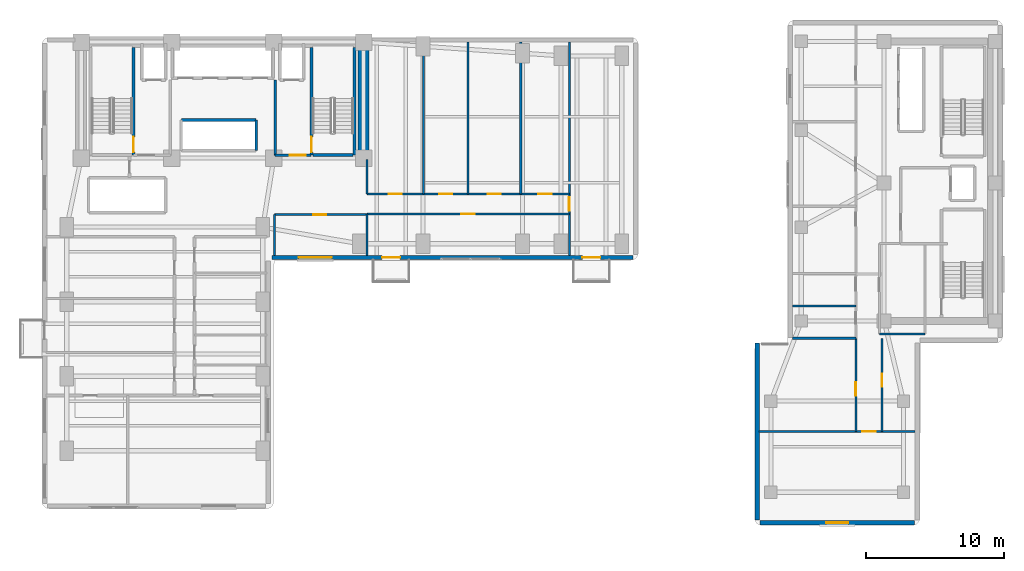
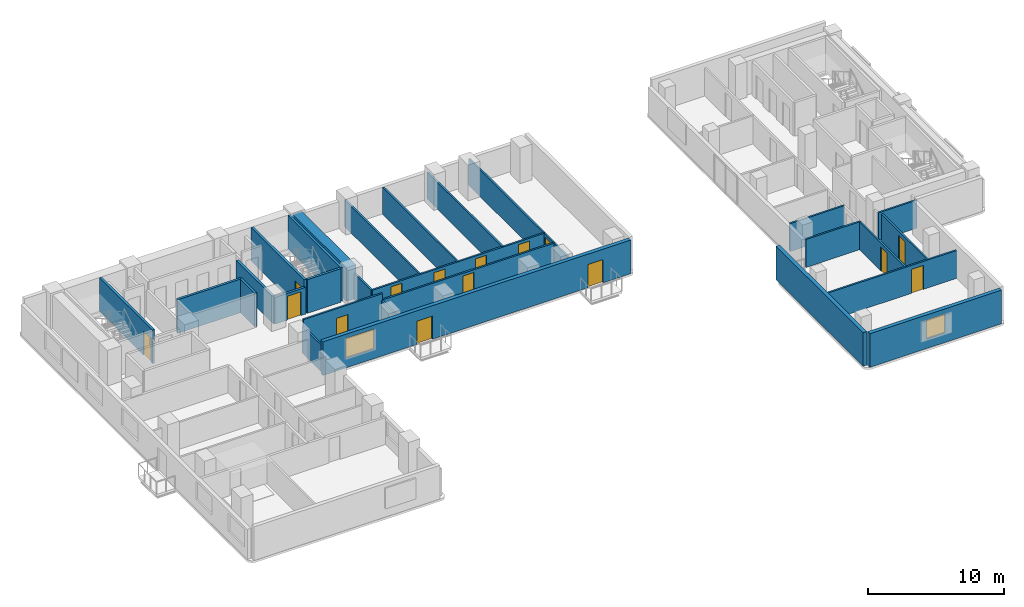
# One storey, part 11 of 17: 28 walls, 15 doors, 2 windows, 17 openings.
"""IFC4 building model written with IfcOpenShell, lengths in metres."""

from ifc_helpers import new_model, si_unit, direction, frame, frame_2d, origin, place, context, subcontext, project, spatial, rectangle, extrude, material, layer, layer_set, type_object, element, fill, save


model = new_model("IFC4")

# Units and contexts
model_context = context("Model", 3, precision=1e-05, world=origin(), true_north=direction((0.0, 1.0)))
body_context = subcontext(model_context, "Body", "Model", "MODEL_VIEW")
ifc_project = project(units=[si_unit("LENGTHUNIT", "METRE"), si_unit("AREAUNIT", "SQUARE_METRE"), si_unit("VOLUMEUNIT", "CUBIC_METRE"), si_unit("PLANEANGLEUNIT", "RADIAN"), si_unit("MASSUNIT", "GRAM", prefix="KILO")], contexts=[model_context])

# Site, building, storey
site_placement = place(None, origin())
site = spatial("IfcSite", under=ifc_project, at=site_placement, CompositionType="ELEMENT")
building_placement = place(site_placement, origin())
building = spatial("IfcBuilding", under=site, at=building_placement, Name="Kuzgunbayir Cultural Tower", CompositionType="ELEMENT")
storey_placement = place(building_placement, frame((0.0, 0.0, 56.39990234375)))
storey = spatial("IfcBuildingStorey", under=building, at=storey_placement, Name="L15", CompositionType="ELEMENT", Elevation=56.39990234375)

# Wall
ifc_material_1 = material(Name="Concrete C60/75", Category="concrete")
ifc_layer_1 = layer(ifc_material_1, 0.800048828125)
ifc_layer_set_1 = layer_set([ifc_layer_1], Name="Concrete C60/75")
wall_type_1 = type_object("IfcWallType", Name="WAL-CORE-800", PredefinedType="SHEAR", material=ifc_layer_set_1)
wall_1_placement = place(storey_placement, frame((26.89990234375, 33.800048828125, 0.0), z_axis=(0.0, 0.0, 1.0), x_axis=(0.0, 1.0, 0.0)))
element("IfcWall", 1, at=wall_1_placement, inside=storey, type_object=wall_type_1, Name="L15 T1 Core East Shear Wall", PredefinedType="SHEAR", context=body_context, shape_type="SweptSolid", body=[
    extrude(rectangle(XDim=7.949951171875, YDim=0.800048828125, at=frame_2d((3.97509765625, 0.0))), origin(), (0.0, 0.0, 1.0), 3.02001953125),
])

# Wall, openings, doors, window
ifc_material_2 = material(Name="Travertine Buff Ashlar", Category="masonry")
ifc_layer_2 = layer(ifc_material_2, 0.320068359375)
ifc_layer_set_2 = layer_set([ifc_layer_2], Name="Travertine Buff Ashlar")
wall_type_2 = type_object("IfcWallType", Name="WAL-EXT-STONE-320", PredefinedType="STANDARD", material=ifc_layer_set_2)
wall_2_placement = place(storey_placement, frame((20.25, 26.60009765625, 0.0), z_axis=(0.0, 0.0, 1.0), x_axis=(1.0, 0.0, 0.0)))
wall_2 = element("IfcWall", 2, at=wall_2_placement, inside=storey, type_object=wall_type_2, Name="L15 Wing B South Limestone Wall", PredefinedType="STANDARD", context=body_context, shape_type="SweptSolid", body=[
    extrude(rectangle(XDim=26.14990234375, YDim=0.320068359375, at=frame_2d((13.074951171875, 0.0))), origin(), (0.0, 0.0, 1.0), 3.02001953125),
])
opening_1_placement = place(wall_2_placement, frame((8.0, 0.0, 0.0)))
opening_1 = element("IfcOpeningElement", 3, at=opening_1_placement, cuts=wall_2, Name="Opening BD-13", PredefinedType="OPENING", context=body_context, shape_type="SweptSolid", body=[
    extrude(rectangle(XDim=1.300048828125, YDim=2.080078125, at=frame_2d((0.64990234375, 1.0400390625))), frame((0.0, 0.169921875, 0.0), z_axis=(0.0, -1.0, 0.0), x_axis=(1.0, 0.0, 0.0)), (0.0, 0.0, 1.0), 0.340087890625),
])
opening_2_placement = place(wall_2_placement, frame((22.5, 0.0, 0.0)))
opening_2 = element("IfcOpeningElement", 4, at=opening_2_placement, cuts=wall_2, Name="Opening BD-13", PredefinedType="OPENING", context=body_context, shape_type="SweptSolid", body=[
    extrude(rectangle(XDim=1.300048828125, YDim=2.080078125, at=frame_2d((0.64990234375, 1.0400390625))), frame((0.0, 0.169921875, 0.0), z_axis=(0.0, -1.0, 0.0), x_axis=(1.0, 0.0, 0.0)), (0.0, 0.0, 1.0), 0.340087890625),
])
opening_3_placement = place(wall_2_placement, frame((1.949951171875, 0.0, 0.85009765625)))
opening_3 = element("IfcOpeningElement", 5, at=opening_3_placement, cuts=wall_2, Name="Opening WO-24", PredefinedType="OPENING", context=body_context, shape_type="SweptSolid", body=[
    extrude(rectangle(XDim=2.39990234375, YDim=1.800048828125, at=frame_2d((1.199951171875, 0.89990234375))), frame((0.0, 0.169921875, 0.0), z_axis=(0.0, -1.0, 0.0), x_axis=(1.0, 0.0, 0.0)), (0.0, 0.0, 1.0), 0.340087890625),
])
ifc_material_3 = material(Name="Thermally Broken Glazed Aluminium", Category="aluminium")
door_type_1 = type_object("IfcDoorType", Name="DR-BALCONY-135", OperationType="SLIDING_TO_LEFT", PredefinedType="DOOR", material=ifc_material_3)
door_1_placement = place(opening_1_placement, origin())
door_1 = element("IfcDoor", 6, at=door_1_placement, inside=storey, type_object=door_type_1, Name="L15 South Balcony Sliding Door BAL-L15-WB1", OperationType="SLIDING_TO_LEFT", OverallHeight=2.080078125, OverallWidth=1.300048828125, PredefinedType="DOOR", context=body_context, shape_type="SweptSolid", body=[
    extrude(rectangle(XDim=1.300048828125, YDim=2.080078125, at=frame_2d((0.64990234375, 1.0400390625))), frame((0.0, 0.02490234375, 0.0), z_axis=(0.0, -1.0, 0.0), x_axis=(1.0, 0.0, 0.0)), (0.0, 0.0, 1.0), 0.050048828125),
])
fill(opening_1, door_1)
door_2_placement = place(opening_2_placement, origin())
door_2 = element("IfcDoor", 7, at=door_2_placement, inside=storey, type_object=door_type_1, Name="L15 South Balcony Sliding Door BAL-L15-WB3", OperationType="SLIDING_TO_LEFT", OverallHeight=2.080078125, OverallWidth=1.300048828125, PredefinedType="DOOR", context=body_context, shape_type="SweptSolid", body=[
    extrude(rectangle(XDim=1.300048828125, YDim=2.080078125, at=frame_2d((0.64990234375, 1.0400390625))), frame((0.0, 0.02490234375, 0.0), z_axis=(0.0, -1.0, 0.0), x_axis=(1.0, 0.0, 0.0)), (0.0, 0.0, 1.0), 0.050048828125),
])
fill(opening_2, door_2)
ifc_material_4 = material(Name="Solar-Control Triple Glazing", Category="glass")
window_type_1 = type_object("IfcWindowType", Name="WIN-OFFICE-24", PartitioningType="SINGLE_PANEL", PredefinedType="WINDOW", material=ifc_material_4)
window_1_placement = place(opening_3_placement, origin())
window_1 = element("IfcWindow", 8, at=window_1_placement, inside=storey, type_object=window_type_1, Name="L15 WBS Facade Window 8", OverallHeight=1.800048828125, OverallWidth=2.39990234375, PartitioningType="SINGLE_PANEL", PredefinedType="WINDOW", context=body_context, shape_type="SweptSolid", body=[
    extrude(rectangle(XDim=2.39990234375, YDim=1.800048828125, at=frame_2d((1.199951171875, 0.89990234375))), frame((0.0, 0.030029296875, 0.0), z_axis=(0.0, -1.0, 0.0), x_axis=(1.0, 0.0, 0.0)), (0.0, 0.0, 1.0), 0.06005859375),
])
fill(opening_3, window_1)

# Wall, opening, window
wall_3_placement = place(storey_placement, frame((55.60009765625, 7.39990234375, 0.0), z_axis=(0.0, 0.0, 1.0), x_axis=(1.0, 0.0, 0.0)))
wall_3 = element("IfcWall", 9, at=wall_3_placement, inside=storey, type_object=wall_type_2, Name="L15 Companion Wing B South Wall", PredefinedType="STANDARD", context=body_context, shape_type="SweptSolid", body=[
    extrude(rectangle(XDim=11.199951171875, YDim=0.320068359375, at=frame_2d((5.60009765625, 0.0))), origin(), (0.0, 0.0, 1.0), 3.02001953125),
])
opening_4_placement = place(wall_3_placement, frame((4.800048828125, 0.0, 0.85009765625)))
opening_4 = element("IfcOpeningElement", 10, at=opening_4_placement, cuts=wall_3, Name="Opening WC-16", PredefinedType="OPENING", context=body_context, shape_type="SweptSolid", body=[
    extrude(rectangle(XDim=1.60009765625, YDim=1.699951171875, at=frame_2d((0.800048828125, 0.85009765625))), frame((0.0, 0.169921875, 0.0), z_axis=(0.0, -1.0, 0.0), x_axis=(1.0, 0.0, 0.0)), (0.0, 0.0, 1.0), 0.340087890625),
])
window_type_2 = type_object("IfcWindowType", Name="WIN-COMP-16", PartitioningType="SINGLE_PANEL", PredefinedType="WINDOW", material=ifc_material_4)
window_2_placement = place(opening_4_placement, origin())
window_2 = element("IfcWindow", 11, at=window_2_placement, inside=storey, type_object=window_type_2, Name="L15 Companion South Window", OverallHeight=1.699951171875, OverallWidth=1.60009765625, PartitioningType="SINGLE_PANEL", PredefinedType="WINDOW", context=body_context, shape_type="SweptSolid", body=[
    extrude(rectangle(XDim=1.60009765625, YDim=1.699951171875, at=frame_2d((0.800048828125, 0.85009765625))), frame((0.0, 0.030029296875, 0.0), z_axis=(0.0, -1.0, 0.0), x_axis=(1.0, 0.0, 0.0)), (0.0, 0.0, 1.0), 0.06005859375),
])
fill(opening_4, window_2)

# Wall
wall_4_placement = place(storey_placement, frame((55.39990234375, 20.39990234375, 0.0), z_axis=(0.0, 0.0, 1.0), x_axis=(0.0, -1.0, 0.0)))
element("IfcWall", 12, at=wall_4_placement, inside=storey, type_object=wall_type_2, Name="L15 Companion Wing B West Wall", PredefinedType="STANDARD", context=body_context, shape_type="SweptSolid", body=[
    extrude(rectangle(XDim=12.7998046875, YDim=0.320068359375, at=frame_2d((6.39990234375, 0.0))), origin(), (0.0, 0.0, 1.0), 3.02001953125),
])

# Wall, opening, door
ifc_material_5 = material(Name="Acoustic Double-Stud Drywall", Category="gypsum")
ifc_layer_3 = layer(ifc_material_5, 0.14990234375)
ifc_layer_set_3 = layer_set([ifc_layer_3], Name="Acoustic Double-Stud Drywall")
wall_type_3 = type_object("IfcWallType", Name="WAL-PART-ACOUSTIC-150", PredefinedType="PARTITIONING", material=ifc_layer_set_3)
wall_5_placement = place(storey_placement, frame((20.449951171875, 29.699951171875, 0.0), z_axis=(0.0, 0.0, 1.0), x_axis=(1.0, 0.0, 0.0)))
wall_5 = element("IfcWall", 13, at=wall_5_placement, inside=storey, type_object=wall_type_3, Name="L15 Waist Alcove North Wall", PredefinedType="PARTITIONING", context=body_context, shape_type="SweptSolid", body=[
    extrude(rectangle(XDim=6.699951171875, YDim=0.14990234375, at=frame_2d((3.35009765625, 0.0))), origin(), (0.0, 0.0, 1.0), 3.02001953125),
])
opening_5_placement = place(wall_5_placement, frame((2.800048828125, 0.0, 0.0)))
opening_5 = element("IfcOpeningElement", 14, at=opening_5_placement, cuts=wall_5, Name="Opening DI-90", PredefinedType="OPENING", context=body_context, shape_type="SweptSolid", body=[
    extrude(rectangle(XDim=0.949951171875, YDim=2.14990234375, at=frame_2d((0.47509765625, 1.074951171875))), frame((0.0, 0.0849609375, 0.0), z_axis=(0.0, -1.0, 0.0), x_axis=(1.0, 0.0, 0.0)), (0.0, 0.0, 1.0), 0.169921875),
])
ifc_material_6 = material(Name="Veneered Oak Single Leaf", Category="wood")
door_type_2 = type_object("IfcDoorType", Name="DR-INT-90", OperationType="NOTDEFINED", PredefinedType="DOOR", material=ifc_material_6)
door_3_placement = place(opening_5_placement, origin())
door_3 = element("IfcDoor", 15, at=door_3_placement, inside=storey, type_object=door_type_2, Name="L15 Waist Alcove Door", OperationType="SINGLE_SWING_LEFT", OverallHeight=2.14990234375, OverallWidth=0.949951171875, PredefinedType="DOOR", context=body_context, shape_type="SweptSolid", body=[
    extrude(rectangle(XDim=0.949951171875, YDim=2.14990234375, at=frame_2d((0.47509765625, 1.074951171875))), frame((0.0, 0.02490234375, 0.0), z_axis=(0.0, -1.0, 0.0), x_axis=(1.0, 0.0, 0.0)), (0.0, 0.0, 1.0), 0.050048828125),
])
fill(opening_5, door_3)

# Walls
wall_6_placement = place(storey_placement, frame((20.449951171875, 26.75, 0.0), z_axis=(0.0, 0.0, 1.0), x_axis=(0.0, 1.0, 0.0)))
element("IfcWall", 16, at=wall_6_placement, inside=storey, type_object=wall_type_3, Name="L15 Waist Alcove West Wall", PredefinedType="PARTITIONING", context=body_context, shape_type="SweptSolid", body=[
    extrude(rectangle(XDim=2.949951171875, YDim=0.14990234375, at=frame_2d((1.47509765625, 0.0))), origin(), (0.0, 0.0, 1.0), 2.400146484375),
])
wall_7_placement = place(storey_placement, frame((27.14990234375, 26.75, 0.0), z_axis=(0.0, 0.0, 1.0), x_axis=(0.0, 1.0, 0.0)))
element("IfcWall", 17, at=wall_7_placement, inside=storey, type_object=wall_type_3, Name="L15 Waist Alcove East Wall", PredefinedType="PARTITIONING", context=body_context, shape_type="SweptSolid", body=[
    extrude(rectangle(XDim=3.0, YDim=0.14990234375, at=frame_2d((1.5, 0.0))), origin(), (0.0, 0.0, 1.0), 2.400146484375),
])

# Wall, opening, door
wall_8_placement = place(storey_placement, frame((27.14990234375, 29.75, 0.0), z_axis=(0.0, 0.0, 1.0), x_axis=(1.0, 0.0, 0.0)))
wall_8 = element("IfcWall", 18, at=wall_8_placement, inside=storey, type_object=wall_type_3, Name="L15 Wing B Corridor South Wall", PredefinedType="PARTITIONING", context=body_context, shape_type="SweptSolid", body=[
    extrude(rectangle(XDim=14.650146484375, YDim=0.14990234375, at=frame_2d((7.3251953125, 0.0))), origin(), (0.0, 0.0, 1.0), 2.400146484375),
])
opening_6_placement = place(wall_8_placement, frame((6.840087890625, 0.0, 0.0)))
opening_6 = element("IfcOpeningElement", 19, at=opening_6_placement, cuts=wall_8, Name="Opening DI-90", PredefinedType="OPENING", context=body_context, shape_type="SweptSolid", body=[
    extrude(rectangle(XDim=0.949951171875, YDim=2.14990234375, at=frame_2d((0.47509765625, 1.074951171875))), frame((0.0, 0.0849609375, 0.0), z_axis=(0.0, -1.0, 0.0), x_axis=(1.0, 0.0, 0.0)), (0.0, 0.0, 1.0), 0.169921875),
])
door_4_placement = place(opening_6_placement, origin())
door_4 = element("IfcDoor", 20, at=door_4_placement, inside=storey, type_object=door_type_2, Name="L15 Wing B Art Publication Salon 1 Door", OperationType="SINGLE_SWING_RIGHT", OverallHeight=2.14990234375, OverallWidth=0.949951171875, PredefinedType="DOOR", context=body_context, shape_type="SweptSolid", body=[
    extrude(rectangle(XDim=0.949951171875, YDim=2.14990234375, at=frame_2d((0.47509765625, 1.074951171875))), frame((0.0, 0.02490234375, 0.0), z_axis=(0.0, -1.0, 0.0), x_axis=(1.0, 0.0, 0.0)), (0.0, 0.0, 1.0), 0.050048828125),
])
fill(opening_6, door_4)

# Wall, openings, doors
wall_9_placement = place(storey_placement, frame((27.14990234375, 31.199951171875, 0.0), z_axis=(0.0, 0.0, 1.0), x_axis=(1.0, 0.0, 0.0)))
wall_9 = element("IfcWall", 21, at=wall_9_placement, inside=storey, type_object=wall_type_3, Name="L15 Wing B Corridor North Wall", PredefinedType="PARTITIONING", context=body_context, shape_type="SweptSolid", body=[
    extrude(rectangle(XDim=14.650146484375, YDim=0.14990234375, at=frame_2d((7.3251953125, 0.0))), origin(), (0.0, 0.0, 1.0), 2.400146484375),
])
opening_7_placement = place(wall_9_placement, frame((1.570068359375, 0.0, 0.0)))
opening_7 = element("IfcOpeningElement", 22, at=opening_7_placement, cuts=wall_9, Name="Opening DI-90", PredefinedType="OPENING", context=body_context, shape_type="SweptSolid", body=[
    extrude(rectangle(XDim=0.949951171875, YDim=2.14990234375, at=frame_2d((0.47509765625, 1.074951171875))), frame((0.0, 0.0849609375, 0.0), z_axis=(0.0, -1.0, 0.0), x_axis=(1.0, 0.0, 0.0)), (0.0, 0.0, 1.0), 0.169921875),
])
opening_8_placement = place(wall_9_placement, frame((5.22998046875, 0.0, 0.0)))
opening_8 = element("IfcOpeningElement", 23, at=opening_8_placement, cuts=wall_9, Name="Opening DI-90", PredefinedType="OPENING", context=body_context, shape_type="SweptSolid", body=[
    extrude(rectangle(XDim=0.949951171875, YDim=2.14990234375, at=frame_2d((0.47509765625, 1.074951171875))), frame((0.0, 0.0849609375, 0.0), z_axis=(0.0, -1.0, 0.0), x_axis=(1.0, 0.0, 0.0)), (0.0, 0.0, 1.0), 0.169921875),
])
opening_9_placement = place(wall_9_placement, frame((8.75, 0.0, 0.0)))
opening_9 = element("IfcOpeningElement", 24, at=opening_9_placement, cuts=wall_9, Name="Opening DI-90", PredefinedType="OPENING", context=body_context, shape_type="SweptSolid", body=[
    extrude(rectangle(XDim=0.949951171875, YDim=2.14990234375, at=frame_2d((0.47509765625, 1.074951171875))), frame((0.0, 0.0849609375, 0.0), z_axis=(0.0, -1.0, 0.0), x_axis=(1.0, 0.0, 0.0)), (0.0, 0.0, 1.0), 0.169921875),
])
opening_10_placement = place(wall_9_placement, frame((12.409912109375, 0.0, 0.0)))
opening_10 = element("IfcOpeningElement", 25, at=opening_10_placement, cuts=wall_9, Name="Opening DI-90", PredefinedType="OPENING", context=body_context, shape_type="SweptSolid", body=[
    extrude(rectangle(XDim=0.949951171875, YDim=2.14990234375, at=frame_2d((0.47509765625, 1.074951171875))), frame((0.0, 0.0849609375, 0.0), z_axis=(0.0, -1.0, 0.0), x_axis=(1.0, 0.0, 0.0)), (0.0, 0.0, 1.0), 0.169921875),
])
door_5_placement = place(opening_7_placement, origin())
door_5 = element("IfcDoor", 26, at=door_5_placement, inside=storey, type_object=door_type_2, Name="L15 Wing B North Art Publication Salon 1 Door", OperationType="SINGLE_SWING_LEFT", OverallHeight=2.14990234375, OverallWidth=0.949951171875, PredefinedType="DOOR", context=body_context, shape_type="SweptSolid", body=[
    extrude(rectangle(XDim=0.949951171875, YDim=2.14990234375, at=frame_2d((0.47509765625, 1.074951171875))), frame((0.0, 0.02490234375, 0.0), z_axis=(0.0, -1.0, 0.0), x_axis=(1.0, 0.0, 0.0)), (0.0, 0.0, 1.0), 0.050048828125),
])
fill(opening_7, door_5)
door_6_placement = place(opening_8_placement, origin())
door_6 = element("IfcDoor", 27, at=door_6_placement, inside=storey, type_object=door_type_2, Name="L15 Wing B North Culinary Tasting Pantry 2 Door", OperationType="SINGLE_SWING_RIGHT", OverallHeight=2.14990234375, OverallWidth=0.949951171875, PredefinedType="DOOR", context=body_context, shape_type="SweptSolid", body=[
    extrude(rectangle(XDim=0.949951171875, YDim=2.14990234375, at=frame_2d((0.47509765625, 1.074951171875))), frame((0.0, 0.02490234375, 0.0), z_axis=(0.0, -1.0, 0.0), x_axis=(1.0, 0.0, 0.0)), (0.0, 0.0, 1.0), 0.050048828125),
])
fill(opening_8, door_6)
door_7_placement = place(opening_9_placement, origin())
door_7 = element("IfcDoor", 28, at=door_7_placement, inside=storey, type_object=door_type_2, Name="L15 Wing B North Fellows Reading Lounge 3 Door", OperationType="SINGLE_SWING_LEFT", OverallHeight=2.14990234375, OverallWidth=0.949951171875, PredefinedType="DOOR", context=body_context, shape_type="SweptSolid", body=[
    extrude(rectangle(XDim=0.949951171875, YDim=2.14990234375, at=frame_2d((0.47509765625, 1.074951171875))), frame((0.0, 0.02490234375, 0.0), z_axis=(0.0, -1.0, 0.0), x_axis=(1.0, 0.0, 0.0)), (0.0, 0.0, 1.0), 0.050048828125),
])
fill(opening_9, door_7)
door_8_placement = place(opening_10_placement, origin())
door_8 = element("IfcDoor", 29, at=door_8_placement, inside=storey, type_object=door_type_2, Name="L15 Wing B North Curatorial Office 4 Door", OperationType="SINGLE_SWING_RIGHT", OverallHeight=2.14990234375, OverallWidth=0.949951171875, PredefinedType="DOOR", context=body_context, shape_type="SweptSolid", body=[
    extrude(rectangle(XDim=0.949951171875, YDim=2.14990234375, at=frame_2d((0.47509765625, 1.074951171875))), frame((0.0, 0.02490234375, 0.0), z_axis=(0.0, -1.0, 0.0), x_axis=(1.0, 0.0, 0.0)), (0.0, 0.0, 1.0), 0.050048828125),
])
fill(opening_10, door_8)

# Wall
wall_10_placement = place(storey_placement, frame((27.14990234375, 31.199951171875, 0.0), z_axis=(0.0, 0.0, 1.0), x_axis=(0.0, 1.0, 0.0)))
element("IfcWall", 30, at=wall_10_placement, inside=storey, type_object=wall_type_3, Name="L15 Wing B North Core Closure Wall", PredefinedType="PARTITIONING", context=body_context, shape_type="SweptSolid", body=[
    extrude(rectangle(XDim=2.47998046875, YDim=0.14990234375, at=frame_2d((1.239990234375, 0.0))), origin(), (0.0, 0.0, 1.0), 2.400146484375),
])

# Wall, opening, door
wall_11_placement = place(storey_placement, frame((41.800048828125, 26.75, 0.0), z_axis=(0.0, 0.0, 1.0), x_axis=(0.0, 1.0, 0.0)))
wall_11 = element("IfcWall", 31, at=wall_11_placement, inside=storey, type_object=wall_type_3, Name="L15 Wing B East Suite Wall", PredefinedType="PARTITIONING", context=body_context, shape_type="SweptSolid", body=[
    extrude(rectangle(XDim=15.449951171875, YDim=0.14990234375, at=frame_2d((7.72509765625, 0.0))), origin(), (0.0, 0.0, 1.0), 2.400146484375),
])
opening_11_placement = place(wall_11_placement, frame((3.219970703125, 0.0, 0.0)))
opening_11 = element("IfcOpeningElement", 32, at=opening_11_placement, cuts=wall_11, Name="Opening DI-100", PredefinedType="OPENING", context=body_context, shape_type="SweptSolid", body=[
    extrude(rectangle(XDim=1.0, YDim=2.14990234375, at=frame_2d((0.5, 1.074951171875))), frame((0.0, 0.0849609375, 0.0), z_axis=(0.0, -1.0, 0.0), x_axis=(1.0, 0.0, 0.0)), (0.0, 0.0, 1.0), 0.169921875),
])
door_type_3 = type_object("IfcDoorType", Name="DR-INT-100", OperationType="NOTDEFINED", PredefinedType="DOOR", material=ifc_material_6)
door_9_placement = place(opening_11_placement, origin())
door_9 = element("IfcDoor", 33, at=door_9_placement, inside=storey, type_object=door_type_3, Name="L15 East Conference Hall Door", OperationType="SINGLE_SWING_LEFT", OverallHeight=2.14990234375, OverallWidth=1.0, PredefinedType="DOOR", context=body_context, shape_type="SweptSolid", body=[
    extrude(rectangle(XDim=1.0, YDim=2.14990234375, at=frame_2d((0.5, 1.074951171875))), frame((0.0, 0.02490234375, 0.0), z_axis=(0.0, -1.0, 0.0), x_axis=(1.0, 0.0, 0.0)), (0.0, 0.0, 1.0), 0.050048828125),
])
fill(opening_11, door_9)

# Walls
for number, where, z_axis, x_axis, name in (
    (34, (31.25, 31.199951171875, 0.0), (0.0, 0.0, 1.0), (0.0, 1.0, 0.0), "L15 Wing B North Partition 1"),
    (35, (34.469970703125, 31.199951171875, 0.0), (0.0, 0.0, 1.0), (0.0, 1.0, 0.0), "L15 Wing B North Partition 2"),
    (36, (38.280029296875, 31.199951171875, 0.0), (0.0, 0.0, 1.0), (0.0, 1.0, 0.0), "L15 Wing B North Partition 3"),
):
    element("IfcWall", number, at=place(storey_placement, frame(where, z_axis=z_axis, x_axis=x_axis)), inside=storey, type_object=wall_type_3, Name=name, PredefinedType="PARTITIONING", context=body_context, shape_type="SweptSolid", body=[
        extrude(rectangle(XDim=11.0, YDim=0.14990234375, at=frame_2d((5.5, 0.0))), origin(), (0.0, 0.0, 1.0), 2.400146484375),
    ])
wall_12_placement = place(storey_placement, frame((64.25, 21.050048828125, 0.0), z_axis=(0.0, 0.0, 1.0), x_axis=(1.0, 0.0, 0.0)))
element("IfcWall", 37, at=wall_12_placement, inside=storey, type_object=wall_type_3, Name="L15 Companion Archive South Wall", PredefinedType="PARTITIONING", context=body_context, shape_type="SweptSolid", body=[
    extrude(rectangle(XDim=3.300048828125, YDim=0.14990234375, at=frame_2d((1.64990234375, 0.0))), origin(), (0.0, 0.0, 1.0), 2.510009765625),
])

# Wall, opening, door
wall_13_placement = place(storey_placement, frame((62.550048828125, 14.0, 0.0), z_axis=(0.0, 0.0, 1.0), x_axis=(0.0, 1.0, 0.0)))
wall_13 = element("IfcWall", 38, at=wall_13_placement, inside=storey, type_object=wall_type_3, Name="L15 Companion South Corridor West Wall", PredefinedType="PARTITIONING", context=body_context, shape_type="SweptSolid", body=[
    extrude(rectangle(XDim=6.75, YDim=0.14990234375, at=frame_2d((3.375, 0.0))), origin(), (0.0, 0.0, 1.0), 2.510009765625),
])
opening_12_placement = place(wall_13_placement, frame((2.60009765625, 0.0, 0.0)))
opening_12 = element("IfcOpeningElement", 39, at=opening_12_placement, cuts=wall_13, Name="Opening DI-90", PredefinedType="OPENING", context=body_context, shape_type="SweptSolid", body=[
    extrude(rectangle(XDim=0.949951171875, YDim=2.14990234375, at=frame_2d((0.47509765625, 1.074951171875))), frame((0.0, 0.0849609375, 0.0), z_axis=(0.0, -1.0, 0.0), x_axis=(1.0, 0.0, 0.0)), (0.0, 0.0, 1.0), 0.169921875),
])
door_10_placement = place(opening_12_placement, origin())
door_10 = element("IfcDoor", 40, at=door_10_placement, inside=storey, type_object=door_type_2, Name="L15 Companion West Atelier Door", OperationType="SINGLE_SWING_LEFT", OverallHeight=2.14990234375, OverallWidth=0.949951171875, PredefinedType="DOOR", context=body_context, shape_type="SweptSolid", body=[
    extrude(rectangle(XDim=0.949951171875, YDim=2.14990234375, at=frame_2d((0.47509765625, 1.074951171875))), frame((0.0, 0.02490234375, 0.0), z_axis=(0.0, -1.0, 0.0), x_axis=(1.0, 0.0, 0.0)), (0.0, 0.0, 1.0), 0.050048828125),
])
fill(opening_12, door_10)

wall_14_placement = place(storey_placement, frame((55.550048828125, 14.0, 0.0), z_axis=(0.0, 0.0, 1.0), x_axis=(1.0, 0.0, 0.0)))
wall_14 = element("IfcWall", 41, at=wall_14_placement, inside=storey, type_object=wall_type_3, Name="L15 Companion South Gallery Wall", PredefinedType="PARTITIONING", context=body_context, shape_type="SweptSolid", body=[
    extrude(rectangle(XDim=11.300048828125, YDim=0.14990234375, at=frame_2d((5.64990234375, 0.0))), origin(), (0.0, 0.0, 1.0), 2.510009765625),
])
opening_13_placement = place(wall_14_placement, frame((7.449951171875, 0.0, 0.0)))
opening_13 = element("IfcOpeningElement", 42, at=opening_13_placement, cuts=wall_14, Name="Opening DI-100", PredefinedType="OPENING", context=body_context, shape_type="SweptSolid", body=[
    extrude(rectangle(XDim=1.0, YDim=2.14990234375, at=frame_2d((0.5, 1.074951171875))), frame((0.0, 0.0849609375, 0.0), z_axis=(0.0, -1.0, 0.0), x_axis=(1.0, 0.0, 0.0)), (0.0, 0.0, 1.0), 0.169921875),
])
door_11_placement = place(opening_13_placement, origin())
door_11 = element("IfcDoor", 43, at=door_11_placement, inside=storey, type_object=door_type_3, Name="L15 Companion South Salon Door", OperationType="SINGLE_SWING_LEFT", OverallHeight=2.14990234375, OverallWidth=1.0, PredefinedType="DOOR", context=body_context, shape_type="SweptSolid", body=[
    extrude(rectangle(XDim=1.0, YDim=2.14990234375, at=frame_2d((0.5, 1.074951171875))), frame((0.0, 0.02490234375, 0.0), z_axis=(0.0, -1.0, 0.0), x_axis=(1.0, 0.0, 0.0)), (0.0, 0.0, 1.0), 0.050048828125),
])
fill(opening_13, door_11)

wall_15_placement = place(storey_placement, frame((64.449951171875, 14.0, 0.0), z_axis=(0.0, 0.0, 1.0), x_axis=(0.0, 1.0, 0.0)))
wall_15 = element("IfcWall", 44, at=wall_15_placement, inside=storey, type_object=wall_type_3, Name="L15 Companion South Corridor East Wall", PredefinedType="PARTITIONING", context=body_context, shape_type="SweptSolid", body=[
    extrude(rectangle(XDim=6.75, YDim=0.14990234375, at=frame_2d((3.375, 0.0))), origin(), (0.0, 0.0, 1.0), 2.510009765625),
])
opening_14_placement = place(wall_15_placement, frame((3.239990234375, 0.0, 0.0)))
opening_14 = element("IfcOpeningElement", 45, at=opening_14_placement, cuts=wall_15, Name="Opening DI-90", PredefinedType="OPENING", context=body_context, shape_type="SweptSolid", body=[
    extrude(rectangle(XDim=0.949951171875, YDim=2.14990234375, at=frame_2d((0.47509765625, 1.074951171875))), frame((0.0, 0.0849609375, 0.0), z_axis=(0.0, -1.0, 0.0), x_axis=(1.0, 0.0, 0.0)), (0.0, 0.0, 1.0), 0.169921875),
])
door_12_placement = place(opening_14_placement, origin())
door_12 = element("IfcDoor", 46, at=door_12_placement, inside=storey, type_object=door_type_2, Name="L15 Companion East Studio Door", OperationType="SINGLE_SWING_RIGHT", OverallHeight=2.14990234375, OverallWidth=0.949951171875, PredefinedType="DOOR", context=body_context, shape_type="SweptSolid", body=[
    extrude(rectangle(XDim=0.949951171875, YDim=2.14990234375, at=frame_2d((0.47509765625, 1.074951171875))), frame((0.0, 0.02490234375, 0.0), z_axis=(0.0, -1.0, 0.0), x_axis=(1.0, 0.0, 0.0)), (0.0, 0.0, 1.0), 0.050048828125),
])
fill(opening_14, door_12)

# Wall
ifc_material_7 = material(Name="Aerated Concrete Blockwork", Category="masonry")
ifc_layer_4 = layer(ifc_material_7, 0.199951171875)
ifc_layer_set_4 = layer_set([ifc_layer_4], Name="Aerated Concrete Blockwork")
wall_type_4 = type_object("IfcWallType", Name="WAL-PART-FIRE-200", PredefinedType="PARTITIONING", material=ifc_layer_set_4)
wall_16_placement = place(storey_placement, frame((20.5, 34.0, 0.0), z_axis=(0.0, 0.0, 1.0), x_axis=(0.0, 1.0, 0.0)))
element("IfcWall", 47, at=wall_16_placement, inside=storey, type_object=wall_type_4, Name="L15 FFL-2 Lobby West Fire Wall", PredefinedType="PARTITIONING", context=body_context, shape_type="SweptSolid", body=[
    extrude(rectangle(XDim=5.449951171875, YDim=0.199951171875, at=frame_2d((2.72509765625, 0.0))), origin(), (0.0, 0.0, 1.0), 2.400146484375),
])

# Wall, opening, door
wall_17_placement = place(storey_placement, frame((20.5, 34.0, 0.0), z_axis=(0.0, 0.0, 1.0), x_axis=(1.0, 0.0, 0.0)))
wall_17 = element("IfcWall", 48, at=wall_17_placement, inside=storey, type_object=wall_type_4, Name="L15 FFL-2 Lobby South Fire Wall", PredefinedType="PARTITIONING", context=body_context, shape_type="SweptSolid", body=[
    extrude(rectangle(XDim=2.60009765625, YDim=0.199951171875, at=frame_2d((1.300048828125, 0.0))), origin(), (0.0, 0.0, 1.0), 2.400146484375),
])
opening_15_placement = place(wall_17_placement, frame((1.050048828125, 0.0, 0.0)))
opening_15 = element("IfcOpeningElement", 49, at=opening_15_placement, cuts=wall_17, Name="Opening DR-FFL-90", PredefinedType="OPENING", context=body_context, shape_type="SweptSolid", body=[
    extrude(rectangle(XDim=1.14990234375, YDim=2.14990234375, at=frame_2d((0.574951171875, 1.074951171875))), frame((0.0, 0.10986328125, 0.0), z_axis=(0.0, -1.0, 0.0), x_axis=(1.0, 0.0, 0.0)), (0.0, 0.0, 1.0), 0.219970703125),
])
ifc_material_8 = material(Name="Steel S355J2", Category="steel")
door_type_4 = type_object("IfcDoorType", Name="DR-FFL-90", OperationType="NOTDEFINED", PredefinedType="DOOR", material=ifc_material_8)
door_13_placement = place(opening_15_placement, origin())
door_13 = element("IfcDoor", 50, at=door_13_placement, inside=storey, type_object=door_type_4, Name="L15 Firefighting Lobby 2 Door", OperationType="SINGLE_SWING_RIGHT", OverallHeight=2.14990234375, OverallWidth=1.14990234375, PredefinedType="DOOR", context=body_context, shape_type="SweptSolid", body=[
    extrude(rectangle(XDim=1.14990234375, YDim=2.14990234375, at=frame_2d((0.574951171875, 1.074951171875))), frame((0.0, 0.02490234375, 0.0), z_axis=(0.0, -1.0, 0.0), x_axis=(1.0, 0.0, 0.0)), (0.0, 0.0, 1.0), 0.050048828125),
])
fill(opening_15, door_13)

# Walls
ifc_material_9 = material(Name="Moisture-Resistant Tile Partition", Category="gypsum")
ifc_layer_5 = layer(ifc_material_9, 0.14990234375)
ifc_layer_set_5 = layer_set([ifc_layer_5], Name="Moisture-Resistant Tile Partition")
wall_type_5 = type_object("IfcWallType", Name="WAL-PART-WET-150", PredefinedType="PARTITIONING", material=ifc_layer_set_5)
for number, where, z_axis, x_axis, name in (
    (51, (57.949951171875, 20.75, 0.0), (0.0, 0.0, 1.0), (1.0, 0.0, 0.0), "L15 Companion WC South Wall"),
    (52, (57.949951171875, 23.10009765625, 0.0), (0.0, 0.0, 1.0), (1.0, 0.0, 0.0), "L15 Companion WC North Wall"),
):
    element("IfcWall", number, at=place(storey_placement, frame(where, z_axis=z_axis, x_axis=x_axis)), inside=storey, type_object=wall_type_5, Name=name, PredefinedType="PARTITIONING", context=body_context, shape_type="SweptSolid", body=[
        extrude(rectangle(XDim=4.60009765625, YDim=0.14990234375, at=frame_2d((2.300048828125, 0.0))), origin(), (0.0, 0.0, 1.0), 2.510009765625),
    ])
ifc_material_10 = material(Name="Concrete C40/50", Category="concrete")
ifc_layer_6 = layer(ifc_material_10, 0.199951171875)
ifc_layer_set_6 = layer_set([ifc_layer_6], Name="Concrete C40/50")
wall_type_6 = type_object("IfcWallType", Name="WAL-SHAFT-200", PredefinedType="MOVABLE", material=ifc_layer_set_6)
wall_18_placement = place(storey_placement, frame((13.699951171875, 36.550048828125, 0.0), z_axis=(0.0, 0.0, 1.0), x_axis=(1.0, 0.0, 0.0)))
element("IfcWall", 53, at=wall_18_placement, inside=storey, type_object=wall_type_6, Name="L15 Mid-Rise Lift Shaft North Wall", PredefinedType="MOVABLE", context=body_context, shape_type="SweptSolid", body=[
    extrude(rectangle(XDim=5.420166015625, YDim=0.199951171875, at=frame_2d((2.7099609375, 0.0))), origin(), (0.0, 0.0, 1.0), 3.02001953125),
])
wall_19_placement = place(storey_placement, frame((19.1201171875, 34.35009765625, 0.0), z_axis=(0.0, 0.0, 1.0), x_axis=(0.0, 1.0, 0.0)))
element("IfcWall", 54, at=wall_19_placement, inside=storey, type_object=wall_type_6, Name="L15 Mid-Rise Lift Shaft East Wall", PredefinedType="MOVABLE", context=body_context, shape_type="SweptSolid", body=[
    extrude(rectangle(XDim=2.199951171875, YDim=0.199951171875, at=frame_2d((1.10009765625, 0.0))), origin(), (0.0, 0.0, 1.0), 3.02001953125),
])

# Wall, opening, door
ifc_layer_7 = layer(ifc_material_10, 0.199951171875)
ifc_layer_set_7 = layer_set([ifc_layer_7], Name="Concrete C40/50")
wall_type_7 = type_object("IfcWallType", Name="WAL-STAIR-RC-200", PredefinedType="SHEAR", material=ifc_layer_set_7)
wall_20_placement = place(storey_placement, frame((10.239990234375, 34.02001953125, 0.0), z_axis=(0.0, 0.0, 1.0), x_axis=(0.0, 1.0, 0.0)))
wall_20 = element("IfcWall", 55, at=wall_20_placement, inside=storey, type_object=wall_type_7, Name="L15 Stair ST-1 East Structural Wall", PredefinedType="SHEAR", context=body_context, shape_type="SweptSolid", body=[
    extrude(rectangle(XDim=7.780029296875, YDim=0.199951171875, at=frame_2d((3.89013671875, 0.0))), origin(), (0.0, 0.0, 1.0), 3.02001953125),
])
opening_16_placement = place(wall_20_placement, frame((0.219970703125, 0.0, 0.0)))
opening_16 = element("IfcOpeningElement", 56, at=opening_16_placement, cuts=wall_20, Name="Opening DR-STAIR-90", PredefinedType="OPENING", context=body_context, shape_type="SweptSolid", body=[
    extrude(rectangle(XDim=1.10009765625, YDim=2.14990234375, at=frame_2d((0.550048828125, 1.074951171875))), frame((0.0, 0.10986328125, 0.0), z_axis=(0.0, -1.0, 0.0), x_axis=(1.0, 0.0, 0.0)), (0.0, 0.0, 1.0), 0.219970703125),
])
door_type_5 = type_object("IfcDoorType", Name="DR-STAIR-90", OperationType="NOTDEFINED", PredefinedType="DOOR", material=ifc_material_8)
door_14_placement = place(opening_16_placement, origin())
door_14 = element("IfcDoor", 57, at=door_14_placement, inside=storey, type_object=door_type_5, Name="L15 Stair ST-1 Fire Door", OperationType="SINGLE_SWING_LEFT", OverallHeight=2.14990234375, OverallWidth=1.10009765625, PredefinedType="DOOR", context=body_context, shape_type="SweptSolid", body=[
    extrude(rectangle(XDim=1.10009765625, YDim=2.14990234375, at=frame_2d((0.550048828125, 1.074951171875))), frame((0.0, 0.02490234375, 0.0), z_axis=(0.0, -1.0, 0.0), x_axis=(1.0, 0.0, 0.0)), (0.0, 0.0, 1.0), 0.050048828125),
])
fill(opening_16, door_14)

wall_21_placement = place(storey_placement, frame((23.1201171875, 34.02001953125, 0.0), z_axis=(0.0, 0.0, 1.0), x_axis=(0.0, 1.0, 0.0)))
wall_21 = element("IfcWall", 58, at=wall_21_placement, inside=storey, type_object=wall_type_7, Name="L15 Stair ST-2 West Structural Wall", PredefinedType="SHEAR", context=body_context, shape_type="SweptSolid", body=[
    extrude(rectangle(XDim=7.780029296875, YDim=0.199951171875, at=frame_2d((3.89013671875, 0.0))), origin(), (0.0, 0.0, 1.0), 3.02001953125),
])
opening_17_placement = place(wall_21_placement, frame((0.219970703125, 0.0, 0.0)))
opening_17 = element("IfcOpeningElement", 59, at=opening_17_placement, cuts=wall_21, Name="Opening DR-STAIR-90", PredefinedType="OPENING", context=body_context, shape_type="SweptSolid", body=[
    extrude(rectangle(XDim=1.10009765625, YDim=2.14990234375, at=frame_2d((0.550048828125, 1.074951171875))), frame((0.0, 0.10986328125, 0.0), z_axis=(0.0, -1.0, 0.0), x_axis=(1.0, 0.0, 0.0)), (0.0, 0.0, 1.0), 0.219970703125),
])
door_15_placement = place(opening_17_placement, origin())
door_15 = element("IfcDoor", 60, at=door_15_placement, inside=storey, type_object=door_type_5, Name="L15 Stair ST-2 Fire Door", OperationType="SINGLE_SWING_LEFT", OverallHeight=2.14990234375, OverallWidth=1.10009765625, PredefinedType="DOOR", context=body_context, shape_type="SweptSolid", body=[
    extrude(rectangle(XDim=1.10009765625, YDim=2.14990234375, at=frame_2d((0.550048828125, 1.074951171875))), frame((0.0, 0.02490234375, 0.0), z_axis=(0.0, -1.0, 0.0), x_axis=(1.0, 0.0, 0.0)), (0.0, 0.0, 1.0), 0.050048828125),
])
fill(opening_17, door_15)

# Walls
wall_22_placement = place(storey_placement, frame((26.239990234375, 34.02001953125, 0.0), z_axis=(0.0, 0.0, 1.0), x_axis=(0.0, 1.0, 0.0)))
element("IfcWall", 61, at=wall_22_placement, inside=storey, type_object=wall_type_7, Name="L15 Stair ST-2 East Structural Wall", PredefinedType="SHEAR", context=body_context, shape_type="SweptSolid", body=[
    extrude(rectangle(XDim=7.780029296875, YDim=0.199951171875, at=frame_2d((3.89013671875, 0.0))), origin(), (0.0, 0.0, 1.0), 3.02001953125),
])
wall_23_placement = place(storey_placement, frame((23.239990234375, 34.02001953125, 0.0), z_axis=(0.0, 0.0, 1.0), x_axis=(1.0, 0.0, 0.0)))
element("IfcWall", 62, at=wall_23_placement, inside=storey, type_object=wall_type_7, Name="L15 Stair ST-2 South Structural Wall", PredefinedType="SHEAR", context=body_context, shape_type="SweptSolid", body=[
    extrude(rectangle(XDim=2.880126953125, YDim=0.199951171875, at=frame_2d((1.43994140625, 0.0))), origin(), (0.0, 0.0, 1.0), 3.02001953125),
])

save(model, "model.ifc")
